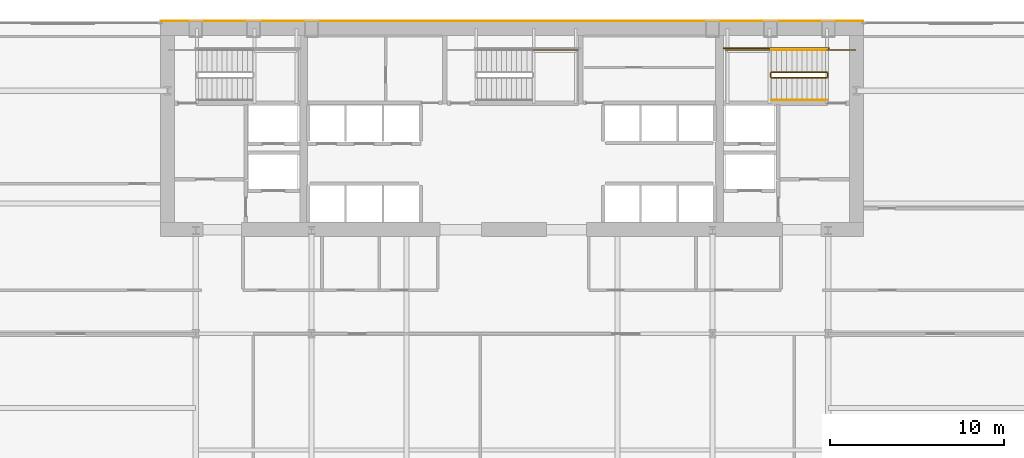
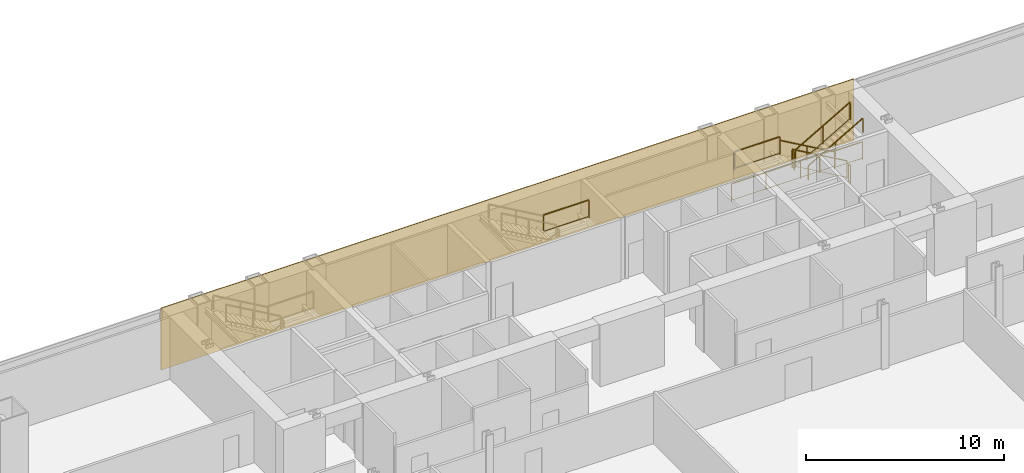
# One storey, part 34 of 35: 10 railings, 1 covering.
"""IFC4 building model written with IfcOpenShell, lengths in metres."""

from ifc_helpers import new_model, si_unit, direction, frame, origin, origin_2d, place, context, subcontext, project, spatial, polyline, rectangle, outline, extrude, material, layer, layer_set, type_object, element, save


model = new_model("IFC4")

# Units and contexts
model_context = context("Model", 3, precision=1e-05, world=origin(), true_north=direction((0.0, 1.0)))
body_context = subcontext(model_context, "Body", "Model", "MODEL_VIEW")
ifc_project = project(units=[si_unit("LENGTHUNIT", "METRE"), si_unit("AREAUNIT", "SQUARE_METRE"), si_unit("VOLUMEUNIT", "CUBIC_METRE"), si_unit("PLANEANGLEUNIT", "RADIAN"), si_unit("MASSUNIT", "GRAM", prefix="KILO")], contexts=[model_context])

# Site, building, storey
site_placement = place(None, origin())
site = spatial("IfcSite", under=ifc_project, at=site_placement, CompositionType="ELEMENT")
building_placement = place(site_placement, origin())
building = spatial("IfcBuilding", under=site, at=building_placement, Name="Khoronbel Lancet Exchange", CompositionType="ELEMENT")
storey_placement = place(building_placement, frame((0.0, 0.0, 53.800048828125)))
storey = spatial("IfcBuildingStorey", under=building, at=storey_placement, Name="L12", CompositionType="ELEMENT", Elevation=53.800048828125)

# Covering
ifc_material_1 = material(Name="Honed Egyptian Limestone & Bronze Rainscreen", Category="masonry")
ifc_layer = layer(ifc_material_1, 0.050048828125, Name="Honed Egyptian Limestone & Bronze Rainscreen")
ifc_layer_set = layer_set([ifc_layer], Name="Honed Egyptian Limestone & Bronze Rainscreen")
covering_type = type_object("IfcCoveringType", Name="COV-CLAD1", PredefinedType="CLADDING", material=ifc_layer_set)
covering_placement = place(storey_placement, origin())
element("IfcCovering", 1, at=covering_placement, inside=storey, type_object=covering_type, Name="Level L12 north rear-core stone and bronze rainscreen cladding", PredefinedType="CLADDING", context=body_context, shape_type="SweptSolid", body=[
    extrude(outline(polyline([(16.199951171875, 53.699951171875), (56.699951171875, 53.699951171875), (56.699951171875, 53.75), (16.199951171875, 53.75), (16.199951171875, 53.699951171875)])), origin(), (0.0, 0.0, 1.0), 3.820068359375),
])

# Railings
ifc_material_2 = material(Name="Painted Steel Balustrade", Category="steel")
railing_type_1 = type_object("IfcRailingType", Name="RL-STG110", PredefinedType="GUARDRAIL", material=ifc_material_2)
railing_1_placement = place(storey_placement, frame((54.60009765625, 50.77001953125, 0.16650390625)))
element("IfcRailing", 2, at=railing_1_placement, inside=storey, type_object=railing_type_1, Name="L12 ST2 stair guard 1", PredefinedType="GUARDRAIL", context=body_context, shape_type="SweptSolid", body=[
    extrude(rectangle(XDim=0.048095703125, YDim=0.048095703125, at=origin_2d()), frame((0.0, 0.0, 1.09619140625), z_axis=(-0.867007354286, 0.0, 0.498295341753), x_axis=(0.0, -1.0, 0.0)), (0.0, 0.0, 1.0), 3.679443359375),
    extrude(rectangle(XDim=0.02392578125, YDim=0.02392578125, at=origin_2d()), frame((0.0, 0.0, 0.080078125), z_axis=(-0.867007354286, 0.0, 0.498295341753), x_axis=(0.0, -1.0, 0.0)), (0.0, 0.0, 1.0), 3.679443359375),
    extrude(rectangle(XDim=0.0419921875, YDim=0.0419921875, at=origin_2d()), origin(), (0.0, 0.0, 1.0), 1.072021484375),
    extrude(rectangle(XDim=0.0419921875, YDim=0.0419921875, at=origin_2d()), frame((-1.59521484375, 0.0, 0.916748046875)), (0.0, 0.0, 1.0), 1.072021484375),
    extrude(rectangle(XDim=0.0419921875, YDim=0.0419921875, at=origin_2d()), frame((-3.190185546875, 0.0, 1.83349609375)), (0.0, 0.0, 1.0), 1.072021484375),
])
railing_2_placement = place(storey_placement, frame((51.360107421875, 50.719970703125, 2.0)))
element("IfcRailing", 3, at=railing_2_placement, inside=storey, type_object=railing_type_1, Name="L12 ST2 stair guard 2", PredefinedType="GUARDRAIL", context=body_context, shape_type="SweptSolid", body=[
    extrude(rectangle(XDim=0.048095703125, YDim=0.048095703125, at=origin_2d()), frame((0.0, 0.0, 1.09619140625), z_axis=(0.0, -1.0, 0.0), x_axis=(1.0, 0.0, 0.0)), (0.0, 0.0, 1.0), 0.219970703125),
    extrude(rectangle(XDim=0.02392578125, YDim=0.02392578125, at=origin_2d()), frame((0.0, 0.0, 0.080078125), z_axis=(0.0, -1.0, 0.0), x_axis=(1.0, 0.0, 0.0)), (0.0, 0.0, 1.0), 0.219970703125),
    extrude(rectangle(XDim=0.0419921875, YDim=0.0419921875, at=origin_2d()), origin(), (0.0, 0.0, 1.0), 1.072021484375),
    extrude(rectangle(XDim=0.0419921875, YDim=0.0419921875, at=origin_2d()), frame((0.0, -0.219970703125, 0.0)), (0.0, 0.0, 1.0), 1.072021484375),
])
railing_3_placement = place(storey_placement, frame((51.409912109375, 52.050048828125, 2.0)))
element("IfcRailing", 4, at=railing_3_placement, inside=storey, type_object=railing_type_1, Name="L12 ST2 stair guard 3", PredefinedType="GUARDRAIL", context=body_context, shape_type="SweptSolid", body=[
    extrude(rectangle(XDim=0.048095703125, YDim=0.048095703125, at=origin_2d()), frame((0.0, 0.0, 1.09619140625), z_axis=(-1.0, 0.0, 0.0), x_axis=(0.0, -1.0, 0.0)), (0.0, 0.0, 1.0), 2.659912109375),
    extrude(rectangle(XDim=0.02392578125, YDim=0.02392578125, at=origin_2d()), frame((0.0, 0.0, 0.080078125), z_axis=(-1.0, 0.0, 0.0), x_axis=(0.0, -1.0, 0.0)), (0.0, 0.0, 1.0), 2.659912109375),
    extrude(rectangle(XDim=0.0419921875, YDim=0.0419921875, at=origin_2d()), origin(), (0.0, 0.0, 1.0), 1.072021484375),
    extrude(rectangle(XDim=0.0419921875, YDim=0.0419921875, at=origin_2d()), frame((-2.659912109375, 0.0, 0.0)), (0.0, 0.0, 1.0), 1.072021484375),
])
railing_4_placement = place(storey_placement, frame((51.409912109375, 50.449951171875, 2.16650390625)))
element("IfcRailing", 5, at=railing_4_placement, inside=storey, type_object=railing_type_1, Name="L12 ST2 stair guard 4", PredefinedType="GUARDRAIL", context=body_context, shape_type="SweptSolid", body=[
    extrude(rectangle(XDim=0.048095703125, YDim=0.048095703125, at=origin_2d()), frame((0.0, 0.0, 1.09619140625), z_axis=(0.867007354286, 0.0, 0.498295341753), x_axis=(0.0, 1.0, 0.0)), (0.0, 0.0, 1.0), 3.679443359375),
    extrude(rectangle(XDim=0.02392578125, YDim=0.02392578125, at=origin_2d()), frame((0.0, 0.0, 0.080078125), z_axis=(0.867007354286, 0.0, 0.498295341753), x_axis=(0.0, 1.0, 0.0)), (0.0, 0.0, 1.0), 3.679443359375),
    extrude(rectangle(XDim=0.0419921875, YDim=0.0419921875, at=origin_2d()), origin(), (0.0, 0.0, 1.0), 1.072021484375),
    extrude(rectangle(XDim=0.0419921875, YDim=0.0419921875, at=origin_2d()), frame((1.59521484375, 0.0, 0.916748046875)), (0.0, 0.0, 1.0), 1.072021484375),
    extrude(rectangle(XDim=0.0419921875, YDim=0.0419921875, at=origin_2d()), frame((3.190185546875, 0.0, 1.83349609375)), (0.0, 0.0, 1.0), 1.072021484375),
])
railing_5_placement = place(storey_placement, frame((54.64990234375, 50.719970703125, 0.0)))
element("IfcRailing", 6, at=railing_5_placement, inside=storey, type_object=railing_type_1, Name="L12 ST2 stair guard 5", PredefinedType="GUARDRAIL", context=body_context, shape_type="SweptSolid", body=[
    extrude(rectangle(XDim=0.048095703125, YDim=0.048095703125, at=origin_2d()), frame((0.0, 0.0, 1.09619140625), z_axis=(0.0, -1.0, 0.0), x_axis=(1.0, 0.0, 0.0)), (0.0, 0.0, 1.0), 0.219970703125),
    extrude(rectangle(XDim=0.02392578125, YDim=0.02392578125, at=origin_2d()), frame((0.0, 0.0, 0.080078125), z_axis=(0.0, -1.0, 0.0), x_axis=(1.0, 0.0, 0.0)), (0.0, 0.0, 1.0), 0.219970703125),
    extrude(rectangle(XDim=0.0419921875, YDim=0.0419921875, at=origin_2d()), origin(), (0.0, 0.0, 1.0), 1.072021484375),
    extrude(rectangle(XDim=0.0419921875, YDim=0.0419921875, at=origin_2d()), frame((0.0, -0.219970703125, 0.0)), (0.0, 0.0, 1.0), 1.072021484375),
])
railing_6_placement = place(storey_placement, frame((56.25, 52.050048828125, 0.0)))
element("IfcRailing", 7, at=railing_6_placement, inside=storey, type_object=railing_type_1, Name="L12 ST2 stair guard 6", PredefinedType="GUARDRAIL", context=body_context, shape_type="SweptSolid", body=[
    extrude(rectangle(XDim=0.048095703125, YDim=0.048095703125, at=origin_2d()), frame((0.0, 0.0, 1.09619140625), z_axis=(-1.0, 0.0, 0.0), x_axis=(0.0, -1.0, 0.0)), (0.0, 0.0, 1.0), 1.64990234375),
    extrude(rectangle(XDim=0.02392578125, YDim=0.02392578125, at=origin_2d()), frame((0.0, 0.0, 0.080078125), z_axis=(-1.0, 0.0, 0.0), x_axis=(0.0, -1.0, 0.0)), (0.0, 0.0, 1.0), 1.64990234375),
    extrude(rectangle(XDim=0.0419921875, YDim=0.0419921875, at=origin_2d()), origin(), (0.0, 0.0, 1.0), 1.072021484375),
    extrude(rectangle(XDim=0.0419921875, YDim=0.0419921875, at=origin_2d()), frame((-1.64990234375, 0.0, 0.0)), (0.0, 0.0, 1.0), 1.072021484375),
])
railing_7_placement = place(storey_placement, frame((54.699951171875, 52.14990234375, 0.0)))
element("IfcRailing", 8, at=railing_7_placement, inside=storey, type_object=railing_type_1, Name="L12 ST2 stair guard 7", PredefinedType="GUARDRAIL", context=body_context, shape_type="SweptSolid", body=[
    extrude(rectangle(XDim=0.048095703125, YDim=0.048095703125, at=origin_2d()), frame((0.0, 0.0, 1.09619140625), z_axis=(-1.0, 0.0, 0.0), x_axis=(0.0, -1.0, 0.0)), (0.0, 0.0, 1.0), 6.050048828125),
    extrude(rectangle(XDim=0.02392578125, YDim=0.02392578125, at=origin_2d()), frame((0.0, 0.0, 0.080078125), z_axis=(-1.0, 0.0, 0.0), x_axis=(0.0, -1.0, 0.0)), (0.0, 0.0, 1.0), 6.050048828125),
    extrude(rectangle(XDim=0.0419921875, YDim=0.0419921875, at=origin_2d()), origin(), (0.0, 0.0, 1.0), 1.072021484375),
    extrude(rectangle(XDim=0.0419921875, YDim=0.0419921875, at=origin_2d()), frame((-2.0166015625, 0.0, 0.0)), (0.0, 0.0, 1.0), 1.072021484375),
    extrude(rectangle(XDim=0.0419921875, YDim=0.0419921875, at=origin_2d()), frame((-4.033447265625, 0.0, 0.0)), (0.0, 0.0, 1.0), 1.072021484375),
    extrude(rectangle(XDim=0.0419921875, YDim=0.0419921875, at=origin_2d()), frame((-6.050048828125, 0.0, 0.0)), (0.0, 0.0, 1.0), 1.072021484375),
])
railing_8_placement = place(storey_placement, frame((37.590087890625, 52.050048828125, 2.0)))
element("IfcRailing", 9, at=railing_8_placement, inside=storey, type_object=railing_type_1, Name="L12 ST3 stair guard 3", PredefinedType="GUARDRAIL", context=body_context, shape_type="SweptSolid", body=[
    extrude(rectangle(XDim=0.048095703125, YDim=0.048095703125, at=origin_2d()), frame((0.0, 0.0, 1.09619140625), z_axis=(1.0, 0.0, 0.0), x_axis=(0.0, 1.0, 0.0)), (0.0, 0.0, 1.0), 2.659912109375),
    extrude(rectangle(XDim=0.02392578125, YDim=0.02392578125, at=origin_2d()), frame((0.0, 0.0, 0.080078125), z_axis=(1.0, 0.0, 0.0), x_axis=(0.0, 1.0, 0.0)), (0.0, 0.0, 1.0), 2.659912109375),
    extrude(rectangle(XDim=0.0419921875, YDim=0.0419921875, at=origin_2d()), origin(), (0.0, 0.0, 1.0), 1.072021484375),
    extrude(rectangle(XDim=0.0419921875, YDim=0.0419921875, at=origin_2d()), frame((2.659912109375, 0.0, 0.0)), (0.0, 0.0, 1.0), 1.072021484375),
])
ifc_material_3 = material(Name="Brushed Stainless Steel 316", Category="steel")
railing_type_2 = type_object("IfcRailingType", Name="RL-STH92", PredefinedType="HANDRAIL", material=ifc_material_3)
railing_9_placement = place(storey_placement, frame((54.60009765625, 52.050048828125, 0.16650390625)))
element("IfcRailing", 10, at=railing_9_placement, inside=storey, type_object=railing_type_2, Name="L12 ST2 stair handrail 1", PredefinedType="HANDRAIL", context=body_context, shape_type="SweptSolid", body=[
    extrude(rectangle(XDim=0.048095703125, YDim=0.048095703125, at=origin_2d()), frame((0.0, 0.0, 0.8759765625), z_axis=(-0.867007354286, 0.0, 0.498295341753), x_axis=(0.0, -1.0, 0.0)), (0.0, 0.0, 1.0), 3.679443359375),
    extrude(rectangle(XDim=0.0419921875, YDim=0.0419921875, at=origin_2d()), origin(), (0.0, 0.0, 1.0), 0.851806640625),
    extrude(rectangle(XDim=0.0419921875, YDim=0.0419921875, at=origin_2d()), frame((-1.59521484375, 0.0, 0.916748046875)), (0.0, 0.0, 1.0), 0.851806640625),
    extrude(rectangle(XDim=0.0419921875, YDim=0.0419921875, at=origin_2d()), frame((-3.190185546875, 0.0, 1.83349609375)), (0.0, 0.0, 1.0), 0.851806640625),
])
railing_10_placement = place(storey_placement, frame((51.409912109375, 49.169921875, 2.16650390625)))
element("IfcRailing", 11, at=railing_10_placement, inside=storey, type_object=railing_type_2, Name="L12 ST2 stair handrail 2", PredefinedType="HANDRAIL", context=body_context, shape_type="SweptSolid", body=[
    extrude(rectangle(XDim=0.048095703125, YDim=0.048095703125, at=origin_2d()), frame((0.0, 0.0, 0.8759765625), z_axis=(0.867007354286, 0.0, 0.498295341753), x_axis=(0.0, 1.0, 0.0)), (0.0, 0.0, 1.0), 3.679443359375),
    extrude(rectangle(XDim=0.0419921875, YDim=0.0419921875, at=origin_2d()), origin(), (0.0, 0.0, 1.0), 0.851806640625),
    extrude(rectangle(XDim=0.0419921875, YDim=0.0419921875, at=origin_2d()), frame((1.59521484375, 0.0, 0.916748046875)), (0.0, 0.0, 1.0), 0.851806640625),
    extrude(rectangle(XDim=0.0419921875, YDim=0.0419921875, at=origin_2d()), frame((3.190185546875, 0.0, 1.83349609375)), (0.0, 0.0, 1.0), 0.851806640625),
])

save(model, "model.ifc")
